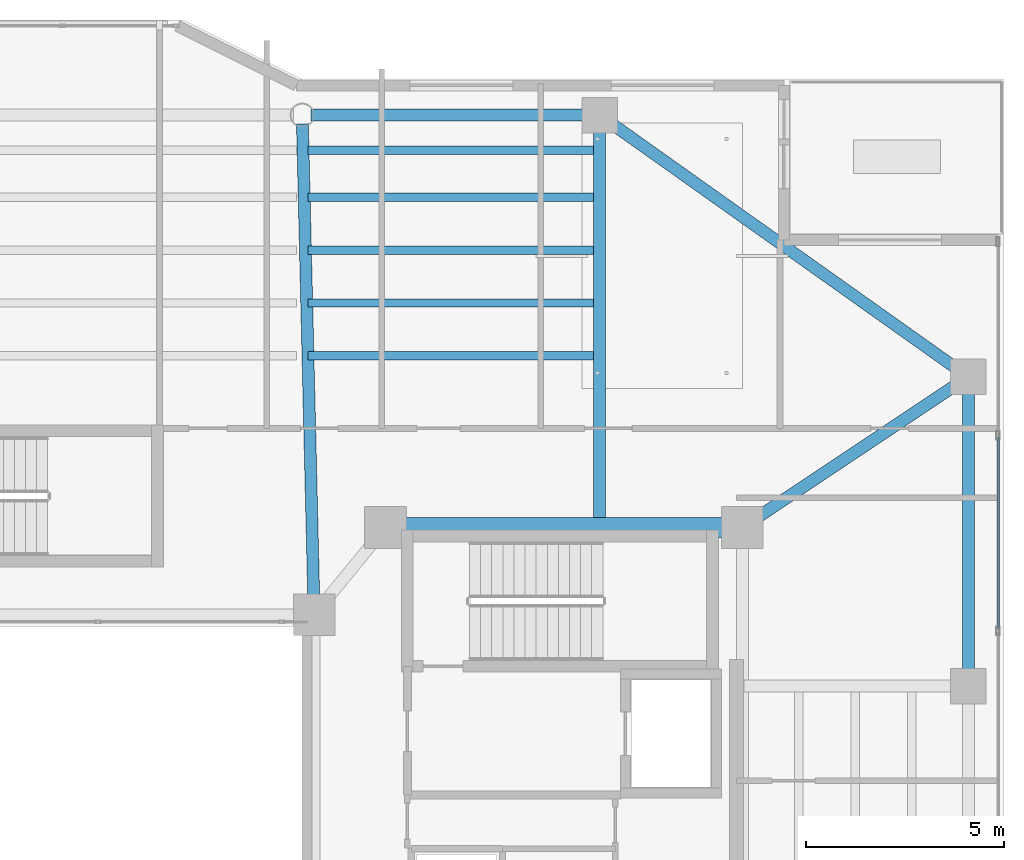
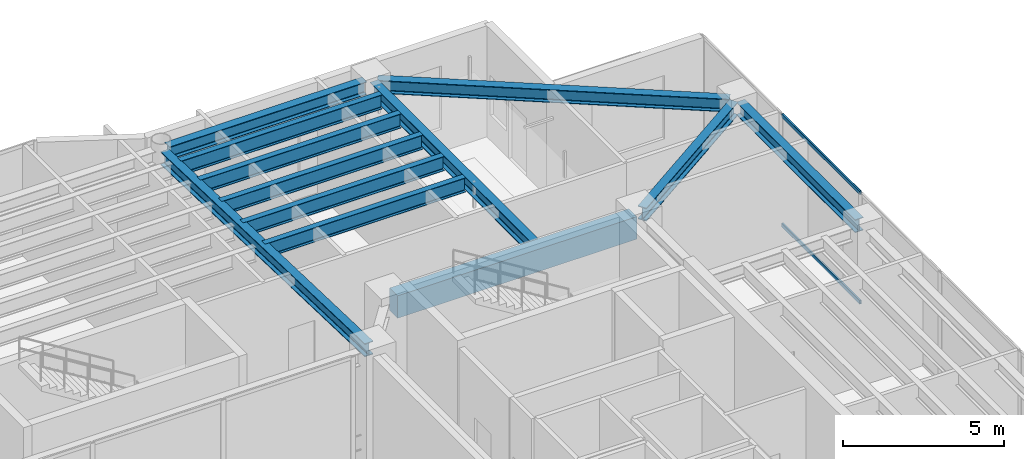
# One storey, part 20 of 33: 12 beams, 2 members, 1 element without a shape of its own.
"""IFC4 building model written with IfcOpenShell, lengths in metres."""

import ifcopenshell
import ifcopenshell.guid

model = None  # the IFC model being written
_history = None  # IfcOwnerHistory: only IFC2X3 demands one
_inside = {}  # id of a spatial element -> (the spatial element, [elements in it])
_under = {}  # id of a project, library or spatial element -> (it, [spatial elements below it])
_declared = {}  # id of a project -> (the project, [libraries it declares])
_typed = {}  # id of a type object -> (the type object, [elements of that type])
_made_of = {}  # id of a material, layer set ... -> (it, [elements and type objects made of it])


def new_model(schema):
    """Start an empty IFC model of exactly this schema.

    Asked for "IFC4X3", IfcOpenShell would pick the latest addendum, in which some entities
    have other attributes; the version numbers below select the first issue.
    IFC2X3 requires an IfcOwnerHistory on every rooted entity: one is made here for all.
    """
    global model, _history
    if schema == "IFC4X3":
        model = ifcopenshell.file(schema_version=(4, 3, 0, 0))
    else:
        model = ifcopenshell.file(schema=schema)
    _inside.clear()
    _under.clear()
    _declared.clear()
    _typed.clear()
    _made_of.clear()
    _history = None
    if model.schema == "IFC2X3":
        org = make("IfcOrganization", Name="unknown")
        user = make(
            "IfcPersonAndOrganization",
            ThePerson=make("IfcPerson", FamilyName="unknown"),
            TheOrganization=org,
        )
        app = make(
            "IfcApplication",
            ApplicationDeveloper=org,
            Version="unknown",
            ApplicationFullName="unknown",
            ApplicationIdentifier="unknown",
        )
        _history = make(
            "IfcOwnerHistory",
            OwningUser=user,
            OwningApplication=app,
            ChangeAction="ADDED",
            CreationDate=0,
        )
    return model


def make(cls, **values):
    """One entity of the class cls with the attributes given. An attribute that is None is left unset."""
    return model.create_entity(
        cls, **{name: value for name, value in values.items() if value is not None}
    )


def rooted(cls, **values):
    """An entity with a GlobalId (a new one), such as an element, a storey or a relation."""
    return make(cls, GlobalId=ifcopenshell.guid.new(), OwnerHistory=_history, **values)


def si_unit(unit_type, name, prefix=None):
    """IfcSIUnit, for example si_unit("LENGTHUNIT", "METRE", prefix="MILLI")."""
    return make("IfcSIUnit", UnitType=unit_type, Prefix=prefix, Name=name)


def assignment(units):
    """IfcUnitAssignment: the units of a project."""
    return None if units is None else make("IfcUnitAssignment", Units=units)


def point(xyz):
    """IfcCartesianPoint."""
    return None if xyz is None else make("IfcCartesianPoint", Coordinates=xyz)


def direction(xyz):
    """IfcDirection."""
    return None if xyz is None else make("IfcDirection", DirectionRatios=xyz)


def frame(location, z_axis=None, x_axis=None):
    """IfcAxis2Placement3D, a coordinate frame: its origin and axes. An axis left out is left unset."""
    return make(
        "IfcAxis2Placement3D",
        Location=point(location),
        Axis=direction(z_axis),
        RefDirection=direction(x_axis),
    )


def frame_2d(location, x_axis=None):
    """IfcAxis2Placement2D, a coordinate frame in the plane: its origin and x axis."""
    return make(
        "IfcAxis2Placement2D", Location=point(location), RefDirection=direction(x_axis)
    )


def origin():
    """The frame at (0, 0, 0) with its axes left unset."""
    return frame((0.0, 0.0, 0.0))


def origin_2d():
    """The frame at (0, 0) in the plane with its x axis left unset."""
    return frame_2d((0.0, 0.0))


def place(relative_to, where):
    """IfcLocalPlacement: puts the frame where relative to a parent placement (None: the world)."""
    return make(
        "IfcLocalPlacement", PlacementRelTo=relative_to, RelativePlacement=where
    )


def context(
    kind, dimensions, precision=None, world=None, true_north=None, identifier=None
):
    """IfcGeometricRepresentationContext, for example the 3D "Model" context."""
    return make(
        "IfcGeometricRepresentationContext",
        ContextIdentifier=identifier,
        ContextType=kind,
        CoordinateSpaceDimension=dimensions,
        Precision=precision,
        WorldCoordinateSystem=world,
        TrueNorth=true_north,
    )


def subcontext(parent, identifier, kind, view, scale=None):
    """IfcGeometricRepresentationSubContext, for example "Body" below "Model"."""
    return make(
        "IfcGeometricRepresentationSubContext",
        ContextIdentifier=identifier,
        ContextType=kind,
        ParentContext=parent,
        TargetScale=scale,
        TargetView=view,
    )


def project(units=None, contexts=None):
    """IfcProject with its units and contexts."""
    return rooted(
        "IfcProject",
        Name="project",
        RepresentationContexts=contexts,
        UnitsInContext=assignment(units),
    )


def spatial(cls, under=None, at=None, **own):
    """A site, building, storey or space (cls), placed at a placement, below another one or the project."""
    s = rooted(cls, ObjectPlacement=at, **own)
    if under is not None:
        _under.setdefault(under.id(), (under, []))[1].append(s)
    return s


def profile(cls, at=None, kind="AREA", **sizes):
    """A parametric profile (cls). Its sizes go by their IFC names, for example OverallWidth=200.0."""
    return make(cls, ProfileType=kind, Position=at, **sizes)


def rectangle(**sizes):
    """IfcRectangleProfileDef."""
    return profile("IfcRectangleProfileDef", **sizes)


def hollow_rectangle(**sizes):
    """IfcRectangleHollowProfileDef."""
    return profile("IfcRectangleHollowProfileDef", **sizes)


def i_section(**sizes):
    """IfcIShapeProfileDef."""
    return profile("IfcIShapeProfileDef", **sizes)


def extrude(swept, where, along, depth):
    """IfcExtrudedAreaSolid: the profile swept, set in the frame where, extruded along a direction by depth."""
    return make(
        "IfcExtrudedAreaSolid",
        SweptArea=swept,
        Position=where,
        ExtrudedDirection=direction(along),
        Depth=depth,
    )


def shape(context_of_items, identifier, shape_type, items):
    """IfcShapeRepresentation: the items that make up one representation, for example the "Body"."""
    return make(
        "IfcShapeRepresentation",
        ContextOfItems=context_of_items,
        RepresentationIdentifier=identifier,
        RepresentationType=shape_type,
        Items=items,
    )


def material(Name=None, Category=None):
    """IfcMaterial."""
    return make("IfcMaterial", Name=Name, Category=Category)


def layer(
    of_material, thickness, ventilated=None, Name=None, Category=None, Priority=None
):
    """IfcMaterialLayer: one layer of a wall or slab, of a material (None: an air gap)."""
    return make(
        "IfcMaterialLayer",
        Material=of_material,
        LayerThickness=thickness,
        IsVentilated=ventilated,
        Name=Name,
        Category=Category,
        Priority=Priority,
    )


def layer_set(layers, Name=None):
    """IfcMaterialLayerSet."""
    return make("IfcMaterialLayerSet", MaterialLayers=layers, LayerSetName=Name)


def material_profile(
    of_material, cross_section, Name=None, Category=None, Priority=None
):
    """IfcMaterialProfile: a cross section and its material."""
    return make(
        "IfcMaterialProfile",
        Name=Name,
        Material=of_material,
        Profile=cross_section,
        Priority=Priority,
        Category=Category,
    )


def profile_set(profiles, Name=None, composite=None):
    """IfcMaterialProfileSet."""
    return make(
        "IfcMaterialProfileSet",
        Name=Name,
        MaterialProfiles=profiles,
        CompositeProfile=composite,
    )


def made_of(thing, what):
    """Note that an element or type object is made of a material, layer set ...; save() writes the relation."""
    if what is not None:
        _made_of.setdefault(what.id(), (what, []))[1].append(thing)
    return thing


def type_object(cls, material=None, **own):
    """A type object (cls), such as IfcWallType, which elements share."""
    return made_of(rooted(cls, **own), material)


def element(
    cls,
    number,
    at=None,
    inside=None,
    cuts=None,
    type_object=None,
    material=None,
    context=None,
    identifier="Body",
    shape_type=None,
    held_by="IfcProductDefinitionShape",
    body=None,
    shapes=None,
    **own,
):
    """One element of the class cls, such as IfcWall. Its Tag is "e" and its number.

    at: its placement. inside: the storey or other place that contains it. cuts: it is an
    opening in that element (IfcRelVoidsElement). A single representation is given by context,
    identifier, shape_type and body (its items); several are given by shapes. held_by: the class
    of the entity that holds the representations. save() writes the other relations.
    """
    e = rooted(cls, Tag="e%d" % number, ObjectPlacement=at, **own)
    if body is not None:
        shapes = [shape(context, identifier, shape_type, body)]
    if shapes is not None:
        e.Representation = make(held_by, Representations=shapes)
    if inside is not None:
        _inside.setdefault(inside.id(), (inside, []))[1].append(e)
    if cuts is not None:
        rooted(
            "IfcRelVoidsElement", RelatingBuildingElement=cuts, RelatedOpeningElement=e
        )
    if type_object is not None:
        _typed.setdefault(type_object.id(), (type_object, []))[1].append(e)
    return made_of(e, material)


def aggregate(whole, parts):
    """IfcRelAggregates: a whole, such as a stair, and the parts it consists of."""
    return rooted("IfcRelAggregates", RelatingObject=whole, RelatedObjects=parts)


def save(model, path):
    """Write the relations noted so far, then the file.

    IfcRelAggregates (storeys below a building ...), IfcRelContainedInSpatialStructure (elements
    in a storey), IfcRelDefinesByType, IfcRelAssociatesMaterial and IfcRelDeclares: one each for
    every whole, place, type object, material and project.
    """
    for whole, parts in _under.values():
        aggregate(whole, parts)
    for where, things in _inside.values():
        rooted(
            "IfcRelContainedInSpatialStructure",
            RelatedElements=things,
            RelatingStructure=where,
        )
    for kind, things in _typed.values():
        rooted("IfcRelDefinesByType", RelatedObjects=things, RelatingType=kind)
    for what, things in _made_of.values():
        rooted("IfcRelAssociatesMaterial", RelatedObjects=things, RelatingMaterial=what)
    for by, libraries in _declared.values():
        rooted("IfcRelDeclares", RelatingContext=by, RelatedDefinitions=libraries)
    model.write(path)


model = new_model("IFC4")

# Units and contexts
model_context = context("Model", 3, precision=1e-05, world=origin(), true_north=direction((0.0, 1.0)))
body_context = subcontext(model_context, "Body", "Model", "MODEL_VIEW")
ifc_project = project(units=[si_unit("LENGTHUNIT", "METRE"), si_unit("AREAUNIT", "SQUARE_METRE"), si_unit("VOLUMEUNIT", "CUBIC_METRE"), si_unit("PLANEANGLEUNIT", "RADIAN"), si_unit("MASSUNIT", "GRAM", prefix="KILO")], contexts=[model_context])

# Site, building, storey
site_placement = place(None, origin())
site = spatial("IfcSite", under=ifc_project, at=site_placement, CompositionType="ELEMENT")
building_placement = place(site_placement, origin())
building = spatial("IfcBuilding", under=site, at=building_placement, Name="Tarnavaz Court Tower", CompositionType="ELEMENT")
storey_placement = place(building_placement, frame((0.0, 0.0, 172.800048828125)))
storey = spatial("IfcBuildingStorey", under=building, at=storey_placement, Name="L47", CompositionType="ELEMENT", Elevation=172.800048828125)

# Beams
ifc_material_1 = material(Name="Concrete C50/60", Category="concrete")
ifc_material_profile_1 = material_profile(ifc_material_1, rectangle(XDim=0.5, YDim=0.85009765625, at=origin_2d()), Name="RC 500X850")
ifc_profile_set_1 = profile_set([ifc_material_profile_1], Name="Concrete C50/60")
beam_type_1 = type_object("IfcBeamType", Name="BM-CB850", PredefinedType="LINTEL", material=ifc_profile_set_1)
beam_1_placement = place(storey_placement, frame((18.3798828125, 10.0, 3.77490234375), z_axis=(-1.0, 0.0, 0.0), x_axis=(0.0, -1.0, 0.0)))
element("IfcBeam", 1, at=beam_1_placement, inside=storey, type_object=beam_type_1, Name="L47 Beam IN-CE-NO-CE-NI", PredefinedType="LINTEL", context=body_context, shape_type="SweptSolid", body=[
    extrude(rectangle(XDim=0.5, YDim=0.85009765625, at=origin_2d()), origin(), (0.0, 0.0, 1.0), 8.559814453125),
])
ifc_material_2 = material(Name="Steel S355", Category="steel")
ifc_material_profile_2 = material_profile(ifc_material_2, i_section(OverallWidth=0.300048828125, OverallDepth=0.5, WebThickness=0.014404296875, FlangeThickness=0.028076171875, FilletRadius=0.027099609375, at=origin_2d()), Name="HEB 500")
ifc_profile_set_2 = profile_set([ifc_material_profile_2], Name="Steel S355")
beam_type_2 = type_object("IfcBeamType", Name="BM-G-HEB500", PredefinedType="USERDEFINED", material=ifc_profile_set_2)
beam_2_placement = place(storey_placement, frame((7.794921875, 8.02001953125, 3.949951171875), z_axis=(-0.023824748444, 0.999716150395, 0.0), x_axis=(-0.999716150395, -0.023824748444, 0.0)))
element("IfcBeam", 2, at=beam_2_placement, inside=storey, type_object=beam_type_2, Name="L47 Beam RG-03", ObjectType="GIRDER", PredefinedType="USERDEFINED", context=body_context, shape_type="SweptSolid", body=[
    extrude(i_section(OverallWidth=0.300048828125, OverallDepth=0.5, WebThickness=0.014404296875, FlangeThickness=0.028076171875, FilletRadius=0.027099609375, at=origin_2d()), origin(), (0.0, 0.0, 1.0), 12.16357421875),
])
beam_3_placement = place(storey_placement, frame((15.0, 10.0400390625, 3.949951171875), z_axis=(0.0, 1.0, 0.0), x_axis=(-1.0, 0.0, 0.0)))
element("IfcBeam", 3, at=beam_3_placement, inside=storey, type_object=beam_type_2, Name="L47 Beam RG-04", ObjectType="GIRDER", PredefinedType="USERDEFINED", context=body_context, shape_type="SweptSolid", body=[
    extrude(i_section(OverallWidth=0.300048828125, OverallDepth=0.5, WebThickness=0.014404296875, FlangeThickness=0.028076171875, FilletRadius=0.027099609375, at=origin_2d()), origin(), (0.0, 0.0, 1.0), 10.139892578125),
])
beam_4_placement = place(storey_placement, frame((18.783203125, 10.1220703125, 3.949951171875), z_axis=(0.832044435051, 0.554708985056, 0.0), x_axis=(-0.554708985056, 0.832044435051, 0.0)))
element("IfcBeam", 4, at=beam_4_placement, inside=storey, type_object=beam_type_2, Name="L47 Beam RG-12", ObjectType="GIRDER", PredefinedType="USERDEFINED", context=body_context, shape_type="SweptSolid", body=[
    extrude(i_section(OverallWidth=0.300048828125, OverallDepth=0.5, WebThickness=0.014404296875, FlangeThickness=0.028076171875, FilletRadius=0.027099609375, at=origin_2d()), origin(), (0.0, 0.0, 1.0), 6.410400390625),
])
ifc_material_profile_3 = material_profile(ifc_material_2, i_section(OverallWidth=0.2099609375, OverallDepth=0.550048828125, WebThickness=0.010986328125, FlangeThickness=0.01708984375, FilletRadius=0.02392578125, at=origin_2d()), Name="IPE 550")
ifc_profile_set_3 = profile_set([ifc_material_profile_3], Name="Steel S355")
beam_type_3 = type_object("IfcBeamType", Name="BM-J-IPE550", PredefinedType="JOIST", material=ifc_profile_set_3)
for number, where, z_axis, x_axis, name in (
    (5, (7.64990234375, 14.33203125, 3.925048828125), (1.0, 0.0, 0.0), (0.0, 1.0, 0.0), "L47 Beam JN1-3"),
    (6, (7.64990234375, 15.6640625, 3.925048828125), (1.0, 0.0, 0.0), (0.0, 1.0, 0.0), "L47 Beam JN2-3"),
    (7, (7.64990234375, 16.99609375, 3.925048828125), (1.0, 0.0, 0.0), (0.0, 1.0, 0.0), "L47 Beam JN3-3"),
    (8, (7.64990234375, 18.327880859375, 3.925048828125), (1.0, 0.0, 0.0), (0.0, 1.0, 0.0), "L47 Beam JN4-3"),
    (9, (7.64990234375, 19.511962890625, 3.925048828125), (1.0, 0.0, 0.0), (0.0, 1.0, 0.0), "L47 Beam JN5-3"),
):
    element("IfcBeam", number, at=place(storey_placement, frame(where, z_axis=z_axis, x_axis=x_axis)), inside=storey, type_object=beam_type_3, Name=name, PredefinedType="JOIST", context=body_context, shape_type="SweptSolid", body=[
        extrude(i_section(OverallWidth=0.2099609375, OverallDepth=0.550048828125, WebThickness=0.010986328125, FlangeThickness=0.01708984375, FilletRadius=0.02392578125, at=origin_2d()), origin(), (0.0, 0.0, 1.0), 7.2001953125),
    ])
ifc_material_profile_4 = material_profile(ifc_material_2, i_section(OverallWidth=0.300048828125, OverallDepth=0.489990234375, WebThickness=0.011962890625, FlangeThickness=0.02294921875, FilletRadius=0.027099609375, at=origin_2d()), Name="HEA 500")
ifc_profile_set_4 = profile_set([ifc_material_profile_4], Name="Steel S355")
beam_type_4 = type_object("IfcBeamType", Name="BM-SP-HEA500", PredefinedType="SPANDREL", material=ifc_profile_set_4)
beam_5_placement = place(storey_placement, frame((7.719970703125, 20.39990234375, 3.954833984375), z_axis=(1.0, 0.0, 0.0), x_axis=(0.0, 1.0, 0.0)))
element("IfcBeam", 10, at=beam_5_placement, inside=storey, type_object=beam_type_4, Name="L47 Beam PR-PN-3-PN-4", PredefinedType="SPANDREL", context=body_context, shape_type="SweptSolid", body=[
    extrude(i_section(OverallWidth=0.300048828125, OverallDepth=0.489990234375, WebThickness=0.011962890625, FlangeThickness=0.02294921875, FilletRadius=0.027099609375, at=origin_2d()), origin(), (0.0, 0.0, 1.0), 7.06005859375),
])
beam_6_placement = place(storey_placement, frame((24.300048828125, 6.219970703125, 3.954833984375), z_axis=(0.0, 1.0, 0.0), x_axis=(-1.0, 0.0, 0.0)))
element("IfcBeam", 11, at=beam_6_placement, inside=storey, type_object=beam_type_4, Name="L47 Beam PR-PE-3-PE-4", PredefinedType="SPANDREL", context=body_context, shape_type="SweptSolid", body=[
    extrude(i_section(OverallWidth=0.300048828125, OverallDepth=0.489990234375, WebThickness=0.011962890625, FlangeThickness=0.02294921875, FilletRadius=0.027099609375, at=origin_2d()), origin(), (0.0, 0.0, 1.0), 7.360107421875),
])
beam_7_placement = place(storey_placement, frame((15.179443359375, 20.272705078125, 3.954833984375), z_axis=(0.815502059396, -0.57875417158, 0.0), x_axis=(0.57875417158, 0.815502059396, 0.0)))
element("IfcBeam", 12, at=beam_7_placement, inside=storey, type_object=beam_type_4, Name="L47 Beam PR-PN-4-PE-4", PredefinedType="SPANDREL", context=body_context, shape_type="SweptSolid", body=[
    extrude(i_section(OverallWidth=0.300048828125, OverallDepth=0.489990234375, WebThickness=0.011962890625, FlangeThickness=0.02294921875, FilletRadius=0.027099609375, at=origin_2d()), origin(), (0.0, 0.0, 1.0), 10.964111328125),
])

# Curtain wall, members
ifc_material_3 = material(Name="Anodised Aluminium 6063-T6 and Solar Low-E Glazing", Category="aluminium")
ifc_layer = layer(ifc_material_3, 0.199951171875)
ifc_layer_set = layer_set([ifc_layer], Name="Anodised Aluminium 6063-T6 and Solar Low-E Glazing")
curtain_wall_type = type_object("IfcCurtainWallType", Name="CW-SYS-05", PredefinedType="NOTDEFINED", material=ifc_layer_set)
curtain_wall_placement = place(storey_placement, origin())
curtain_wall = element("IfcCurtainWall", 13, at=curtain_wall_placement, inside=storey, type_object=curtain_wall_type, Name="L47 Sky-Portal Curtain Wall 12", PredefinedType="NOTDEFINED")
ifc_material_4 = material(Name="Anodised Aluminium 6063-T6", Category="aluminium")
ifc_material_profile_5 = material_profile(ifc_material_4, hollow_rectangle(XDim=0.06494140625, YDim=0.139892578125, WallThickness=0.00390625, InnerFilletRadius=0.00390625, OuterFilletRadius=0.008056640625, at=origin_2d()), Name="ALU RHS 140X65X4")
ifc_profile_set_5 = profile_set([ifc_material_profile_5], Name="Anodised Aluminium 6063-T6")
member_type = type_object("IfcMemberType", Name="CW-TRN-140", PredefinedType="USERDEFINED", material=ifc_profile_set_5)
member_1_placement = place(storey_placement, frame((25.050048828125, 12.27880859375, 0.032470703125), z_axis=(0.0, -1.0, 0.0), x_axis=(1.0, 0.0, 0.0)))
member_1 = element("IfcMember", 14, at=member_1_placement, type_object=member_type, Name="CW transom 2.1", ObjectType="TRANSOM", PredefinedType="USERDEFINED", context=body_context, shape_type="SweptSolid", body=[
    extrude(hollow_rectangle(XDim=0.06494140625, YDim=0.139892578125, WallThickness=0.00390625, InnerFilletRadius=0.00390625, OuterFilletRadius=0.008056640625, at=origin_2d()), origin(), (0.0, 0.0, 1.0), 4.843505859375),
])
member_2_placement = place(storey_placement, frame((25.050048828125, 12.27880859375, 4.16748046875), z_axis=(0.0, -1.0, 0.0), x_axis=(1.0, 0.0, 0.0)))
member_2 = element("IfcMember", 15, at=member_2_placement, type_object=member_type, Name="CW transom 2.2", ObjectType="TRANSOM", PredefinedType="USERDEFINED", context=body_context, shape_type="SweptSolid", body=[
    extrude(hollow_rectangle(XDim=0.06494140625, YDim=0.139892578125, WallThickness=0.00390625, InnerFilletRadius=0.00390625, OuterFilletRadius=0.008056640625, at=origin_2d()), origin(), (0.0, 0.0, 1.0), 4.843505859375),
])
aggregate(curtain_wall, [member_1, member_2])

save(model, "model.ifc")
